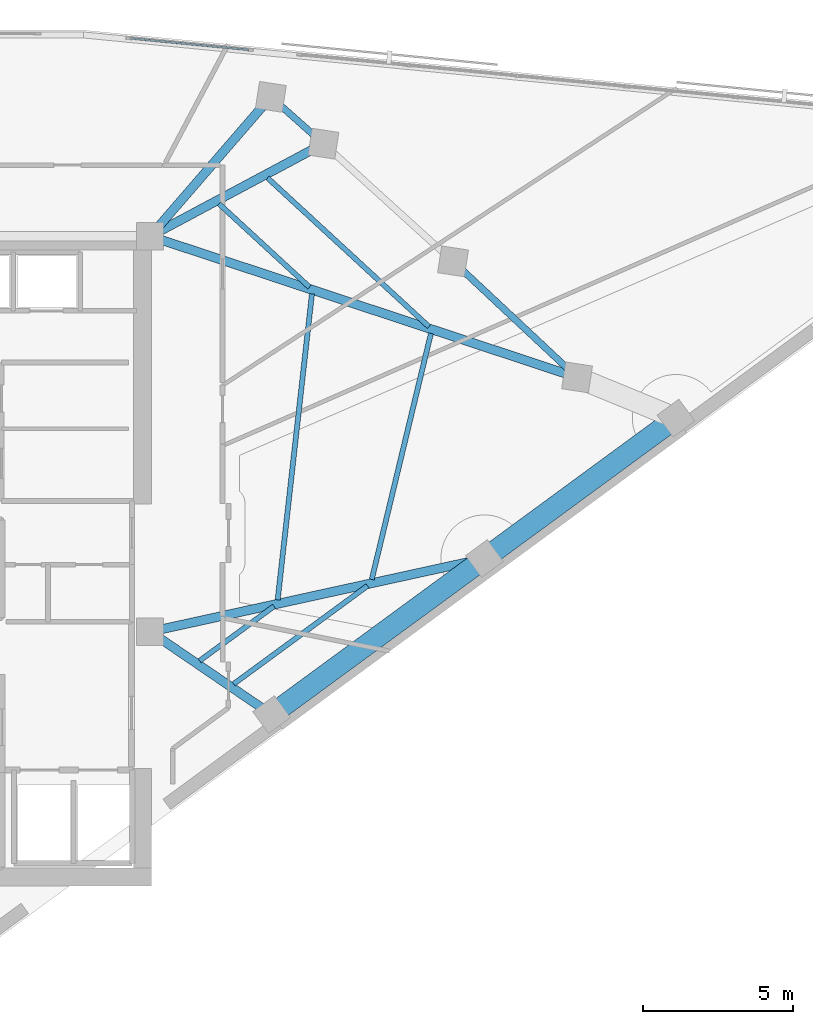
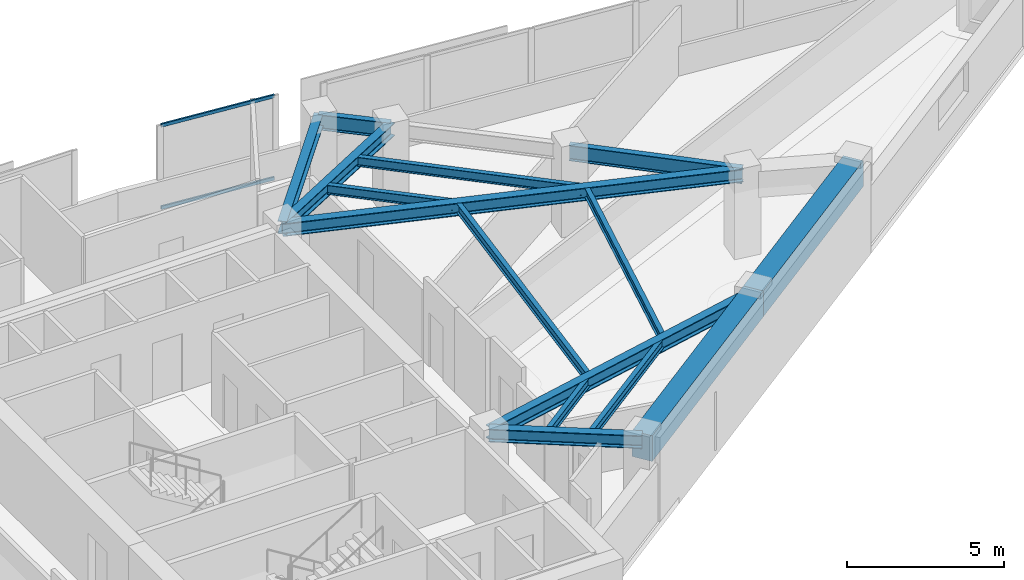
# One storey, part 4 of 14: 15 beams, 2 members, 1 element without a shape of its own.
"""IFC4 building model written with IfcOpenShell, lengths in metres."""

from ifc_helpers import new_model, si_unit, direction, frame, origin, origin_2d, place, context, subcontext, project, spatial, rectangle, hollow_rectangle, i_section, extrude, material, material_profile, profile_set, type_object, element, aggregate, save


model = new_model("IFC4")

# Units and contexts
model_context = context("Model", 3, precision=1e-05, world=origin(), true_north=direction((0.0, 1.0)))
body_context = subcontext(model_context, "Body", "Model", "MODEL_VIEW")
ifc_project = project(units=[si_unit("LENGTHUNIT", "METRE"), si_unit("AREAUNIT", "SQUARE_METRE"), si_unit("VOLUMEUNIT", "CUBIC_METRE"), si_unit("PLANEANGLEUNIT", "RADIAN"), si_unit("MASSUNIT", "GRAM", prefix="KILO")], contexts=[model_context])

# Site, building, storey
site_placement = place(None, origin())
site = spatial("IfcSite", under=ifc_project, at=site_placement, CompositionType="ELEMENT")
building_placement = place(site_placement, origin())
building = spatial("IfcBuilding", under=site, at=building_placement, Name="Narakoshi Arena Tower", CompositionType="ELEMENT")
storey_placement = place(building_placement, frame((0.0, 0.0, 236.10009765625)))
storey = spatial("IfcBuildingStorey", under=building, at=storey_placement, Name="L64", CompositionType="ELEMENT", Elevation=236.10009765625)

# Beams
ifc_material_1 = material(Name="Concrete C60/75", Category="concrete")
ifc_material_profile_1 = material_profile(ifc_material_1, rectangle(XDim=0.699951171875, YDim=1.0, at=origin_2d()), Name="RCB700x1000")
ifc_profile_set_1 = profile_set([ifc_material_profile_1], Name="Concrete C60/75")
beam_type_1 = type_object("IfcBeamType", Name="BM-CPL-1000", PredefinedType="BEAM", material=ifc_profile_set_1)
beam_1_placement = place(storey_placement, frame((89.58642578125, 40.594482421875, 2.760009765625), z_axis=(0.806446564509, 0.591306974922, 0.0), x_axis=(-0.591306974922, 0.806446564509, 0.0)))
element("IfcBeam", 1, at=beam_1_placement, inside=storey, type_object=beam_type_1, Name="L64 Perimeter Edge Girder 01", PredefinedType="BEAM", context=body_context, shape_type="SweptSolid", body=[
    extrude(rectangle(XDim=0.699951171875, YDim=1.0, at=origin_2d()), origin(), (0.0, 0.0, 1.0), 8.775390625),
])
beam_2_placement = place(storey_placement, frame((96.663330078125, 45.783447265625, 2.760009765625), z_axis=(0.806437425649, 0.59131943864, 0.0), x_axis=(-0.59131943864, 0.806437425649, 0.0)))
element("IfcBeam", 2, at=beam_2_placement, inside=storey, type_object=beam_type_1, Name="L64 Perimeter Edge Girder 02", PredefinedType="BEAM", context=body_context, shape_type="SweptSolid", body=[
    extrude(rectangle(XDim=0.699951171875, YDim=1.0, at=origin_2d()), origin(), (0.0, 0.0, 1.0), 7.89794921875),
])
ifc_material_2 = material(Name="Structural steel S355J2", Category="steel")
ifc_material_profile_2 = material_profile(ifc_material_2, i_section(OverallWidth=0.219970703125, OverallDepth=0.60009765625, WebThickness=0.011962890625, FlangeThickness=0.01904296875, FilletRadius=0.02392578125, at=origin_2d()), Name="IPE600")
ifc_profile_set_2 = profile_set([ifc_material_profile_2], Name="Structural steel S355J2")
beam_type_2 = type_object("IfcBeamType", Name="BM-EDGE-600", PredefinedType="BEAM", material=ifc_profile_set_2)
beam_3_placement = place(storey_placement, frame((99.74267578125, 51.80712890625, 2.9599609375), z_axis=(-0.730193480459, 0.683240427006, 0.0), x_axis=(-0.683240427006, -0.730193480459, 0.0)))
element("IfcBeam", 3, at=beam_3_placement, inside=storey, type_object=beam_type_2, Name="L64 Perimeter Edge Girder 04", PredefinedType="BEAM", context=body_context, shape_type="SweptSolid", body=[
    extrude(i_section(OverallWidth=0.219970703125, OverallDepth=0.60009765625, WebThickness=0.011962890625, FlangeThickness=0.01904296875, FilletRadius=0.02392578125, at=origin_2d()), origin(), (0.0, 0.0, 1.0), 5.646728515625),
])
beam_4_placement = place(storey_placement, frame((91.311279296875, 59.576416015625, 2.9599609375), z_axis=(-0.746770864852, 0.665081405099, 0.0), x_axis=(-0.665081405099, -0.746770864852, 0.0)))
element("IfcBeam", 4, at=beam_4_placement, inside=storey, type_object=beam_type_2, Name="L64 Perimeter Edge Girder 06", PredefinedType="BEAM", context=body_context, shape_type="SweptSolid", body=[
    extrude(i_section(OverallWidth=0.219970703125, OverallDepth=0.60009765625, WebThickness=0.011962890625, FlangeThickness=0.01904296875, FilletRadius=0.02392578125, at=origin_2d()), origin(), (0.0, 0.0, 1.0), 2.343017578125),
])
ifc_material_profile_3 = material_profile(ifc_material_2, i_section(OverallWidth=0.300048828125, OverallDepth=0.5, WebThickness=0.014404296875, FlangeThickness=0.028076171875, FilletRadius=0.027099609375, at=origin_2d()), Name="HE500B")
ifc_profile_set_3 = profile_set([ifc_material_profile_3], Name="Structural steel S355J2")
beam_type_3 = type_object("IfcBeamType", Name="BM-PRI-500", PredefinedType="BEAM", material=ifc_profile_set_3)
beam_5_placement = place(storey_placement, frame((85.550048828125, 43.35009765625, 3.010009765625), z_axis=(0.825890057955, -0.563831191201, 0.0), x_axis=(0.563831191201, 0.825890057955, 0.0)))
element("IfcBeam", 5, at=beam_5_placement, inside=storey, type_object=beam_type_3, Name="L64 Radial Primary Floor Girder 01", PredefinedType="BEAM", context=body_context, shape_type="SweptSolid", body=[
    extrude(i_section(OverallWidth=0.300048828125, OverallDepth=0.5, WebThickness=0.014404296875, FlangeThickness=0.028076171875, FilletRadius=0.027099609375, at=origin_2d()), origin(), (0.0, 0.0, 1.0), 4.88720703125),
])
beam_6_placement = place(storey_placement, frame((85.550048828125, 43.35009765625, 3.010009765625), z_axis=(0.976857438099, 0.213891434216, 0.0), x_axis=(-0.213891434216, 0.976857438099, 0.0)))
element("IfcBeam", 6, at=beam_6_placement, inside=storey, type_object=beam_type_3, Name="L64 Radial Primary Floor Girder 02", PredefinedType="BEAM", context=body_context, shape_type="SweptSolid", body=[
    extrude(i_section(OverallWidth=0.300048828125, OverallDepth=0.5, WebThickness=0.014404296875, FlangeThickness=0.028076171875, FilletRadius=0.027099609375, at=origin_2d()), origin(), (0.0, 0.0, 1.0), 11.37646484375),
])
beam_7_placement = place(storey_placement, frame((85.550048828125, 56.5, 3.010009765625), z_axis=(0.949443255158, -0.31393869662, 0.0), x_axis=(0.31393869662, 0.949443255158, 0.0)))
element("IfcBeam", 7, at=beam_7_placement, inside=storey, type_object=beam_type_3, Name="L64 Radial Primary Floor Girder 04", PredefinedType="BEAM", context=body_context, shape_type="SweptSolid", body=[
    extrude(i_section(OverallWidth=0.300048828125, OverallDepth=0.5, WebThickness=0.014404296875, FlangeThickness=0.028076171875, FilletRadius=0.027099609375, at=origin_2d()), origin(), (0.0, 0.0, 1.0), 14.948486328125),
])
beam_8_placement = place(storey_placement, frame((85.550048828125, 56.5, 3.010009765625), z_axis=(0.882113796729, 0.471036357004, 0.0), x_axis=(-0.471036357004, 0.882113796729, 0.0)))
element("IfcBeam", 8, at=beam_8_placement, inside=storey, type_object=beam_type_3, Name="L64 Radial Primary Floor Girder 06", PredefinedType="BEAM", context=body_context, shape_type="SweptSolid", body=[
    extrude(i_section(OverallWidth=0.300048828125, OverallDepth=0.5, WebThickness=0.014404296875, FlangeThickness=0.028076171875, FilletRadius=0.027099609375, at=origin_2d()), origin(), (0.0, 0.0, 1.0), 6.53125),
])
beam_9_placement = place(storey_placement, frame((85.550048828125, 56.5, 3.010009765625), z_axis=(0.654434553487, 0.756118651537, 0.0), x_axis=(-0.756118651537, 0.654434553487, 0.0)))
element("IfcBeam", 9, at=beam_9_placement, inside=storey, type_object=beam_type_3, Name="L64 Radial Primary Floor Girder 07", PredefinedType="BEAM", context=body_context, shape_type="SweptSolid", body=[
    extrude(i_section(OverallWidth=0.300048828125, OverallDepth=0.5, WebThickness=0.014404296875, FlangeThickness=0.028076171875, FilletRadius=0.027099609375, at=origin_2d()), origin(), (0.0, 0.0, 1.0), 6.129638671875),
])
ifc_material_profile_4 = material_profile(ifc_material_2, i_section(OverallWidth=0.169921875, OverallDepth=0.360107421875, WebThickness=0.008056640625, FlangeThickness=0.0126953125, FilletRadius=0.01806640625, at=origin_2d()), Name="IPE360")
ifc_profile_set_4 = profile_set([ifc_material_profile_4], Name="Structural steel S355J2")
beam_type_4 = type_object("IfcBeamType", Name="BM-SEC-360", PredefinedType="JOIST", material=ifc_profile_set_4)
beam_10_placement = place(storey_placement, frame((87.192626953125, 42.3828125, 3.079833984375), z_axis=(0.806491095196, 0.59124623751, 0.0), x_axis=(-0.59124623751, 0.806491095196, 0.0)))
element("IfcBeam", 10, at=beam_10_placement, inside=storey, type_object=beam_type_4, Name="L64 Composite Secondary Floor Joist 01", PredefinedType="JOIST", context=body_context, shape_type="SweptSolid", body=[
    extrude(i_section(OverallWidth=0.169921875, OverallDepth=0.360107421875, WebThickness=0.008056640625, FlangeThickness=0.0126953125, FilletRadius=0.01806640625, at=origin_2d()), origin(), (0.0, 0.0, 1.0), 3.064697265625),
])
beam_11_placement = place(storey_placement, frame((88.322998046875, 41.611083984375, 3.079833984375), z_axis=(0.80643170275, 0.591327243411, 0.0), x_axis=(-0.591327243411, 0.80643170275, 0.0)))
element("IfcBeam", 11, at=beam_11_placement, inside=storey, type_object=beam_type_4, Name="L64 Composite Secondary Floor Joist 02", PredefinedType="JOIST", context=body_context, shape_type="SweptSolid", body=[
    extrude(i_section(OverallWidth=0.169921875, OverallDepth=0.360107421875, WebThickness=0.008056640625, FlangeThickness=0.0126953125, FilletRadius=0.01806640625, at=origin_2d()), origin(), (0.0, 0.0, 1.0), 5.521728515625),
])
beam_12_placement = place(storey_placement, frame((89.7880859375, 44.408935546875, 3.079833984375), z_axis=(0.111371154474, 0.99377888182, 0.0), x_axis=(-0.99377888182, 0.111371154474, 0.0)))
element("IfcBeam", 12, at=beam_12_placement, inside=storey, type_object=beam_type_4, Name="L64 Composite Secondary Floor Joist 03", PredefinedType="JOIST", context=body_context, shape_type="SweptSolid", body=[
    extrude(i_section(OverallWidth=0.169921875, OverallDepth=0.360107421875, WebThickness=0.008056640625, FlangeThickness=0.0126953125, FilletRadius=0.01806640625, at=origin_2d()), origin(), (0.0, 0.0, 1.0), 10.2373046875),
])
beam_13_placement = place(storey_placement, frame((92.91650390625, 45.08740234375, 3.079833984375), z_axis=(0.233913716511, 0.972257359565, 0.0), x_axis=(-0.972257359565, 0.233913716511, 0.0)))
element("IfcBeam", 13, at=beam_13_placement, inside=storey, type_object=beam_type_4, Name="L64 Composite Secondary Floor Joist 04", PredefinedType="JOIST", context=body_context, shape_type="SweptSolid", body=[
    extrude(i_section(OverallWidth=0.169921875, OverallDepth=0.360107421875, WebThickness=0.008056640625, FlangeThickness=0.0126953125, FilletRadius=0.01806640625, at=origin_2d()), origin(), (0.0, 0.0, 1.0), 8.417724609375),
])
beam_14_placement = place(storey_placement, frame((90.843994140625, 54.80810546875, 3.079833984375), z_axis=(-0.735400942235, 0.677632241086, 0.0), x_axis=(-0.677632241086, -0.735400942235, 0.0)))
element("IfcBeam", 14, at=beam_14_placement, inside=storey, type_object=beam_type_4, Name="L64 Composite Secondary Floor Joist 05", PredefinedType="JOIST", context=body_context, shape_type="SweptSolid", body=[
    extrude(i_section(OverallWidth=0.169921875, OverallDepth=0.360107421875, WebThickness=0.008056640625, FlangeThickness=0.0126953125, FilletRadius=0.01806640625, at=origin_2d()), origin(), (0.0, 0.0, 1.0), 4.086669921875),
])
beam_15_placement = place(storey_placement, frame((94.81787109375, 53.494140625, 3.079833984375), z_axis=(-0.735390648624, 0.677643412066, 0.0), x_axis=(-0.677643412066, -0.735390648624, 0.0)))
element("IfcBeam", 15, at=beam_15_placement, inside=storey, type_object=beam_type_4, Name="L64 Composite Secondary Floor Joist 06", PredefinedType="JOIST", context=body_context, shape_type="SweptSolid", body=[
    extrude(i_section(OverallWidth=0.169921875, OverallDepth=0.360107421875, WebThickness=0.008056640625, FlangeThickness=0.0126953125, FilletRadius=0.01806640625, at=origin_2d()), origin(), (0.0, 0.0, 1.0), 7.297119140625),
])

# Curtain wall, members
ifc_material_3 = material(Name="Anodised bronze aluminium 6063-T6", Category="aluminium")
curtain_wall_type = type_object("IfcCurtainWallType", Name="CW-HYP-HIGH", PredefinedType="NOTDEFINED", material=ifc_material_3)
curtain_wall_placement = place(storey_placement, origin())
curtain_wall = element("IfcCurtainWall", 16, at=curtain_wall_placement, inside=storey, type_object=curtain_wall_type, Name="L64 Folded Hypotenuse Curtain Wall 1-2", PredefinedType="NOTDEFINED")
ifc_material_profile_5 = material_profile(ifc_material_3, hollow_rectangle(XDim=0.06494140625, YDim=0.1298828125, WallThickness=0.00390625, OuterFilletRadius=0.0048828125, at=origin_2d()), Name="TRN130x65x4")
ifc_profile_set_5 = profile_set([ifc_material_profile_5], Name="Anodised bronze aluminium 6063-T6")
member_type = type_object("IfcMemberType", Name="MEM-TRN-130", PredefinedType="USERDEFINED", material=ifc_profile_set_5)
member_1_placement = place(storey_placement, frame((88.830810546875, 62.69775390625, 0.032470703125), z_axis=(-0.995301216231, 0.096827108647, 0.0), x_axis=(-0.096827108647, -0.995301216231, 0.0)))
member_1 = element("IfcMember", 17, at=member_1_placement, type_object=member_type, Name="CW-03 transom 1.1", ObjectType="TRANSOM", PredefinedType="USERDEFINED", context=body_context, shape_type="SweptSolid", body=[
    extrude(hollow_rectangle(XDim=0.06494140625, YDim=0.1298828125, WallThickness=0.00390625, OuterFilletRadius=0.0048828125, at=origin_2d()), origin(), (0.0, 0.0, 1.0), 3.9560546875),
])
member_2_placement = place(storey_placement, frame((88.830810546875, 62.69775390625, 3.227294921875), z_axis=(-0.995301216231, 0.096827108647, 0.0), x_axis=(-0.096827108647, -0.995301216231, 0.0)))
member_2 = element("IfcMember", 18, at=member_2_placement, type_object=member_type, Name="CW-03 transom 1.2", ObjectType="TRANSOM", PredefinedType="USERDEFINED", context=body_context, shape_type="SweptSolid", body=[
    extrude(hollow_rectangle(XDim=0.06494140625, YDim=0.1298828125, WallThickness=0.00390625, OuterFilletRadius=0.0048828125, at=origin_2d()), origin(), (0.0, 0.0, 1.0), 3.9560546875),
])
aggregate(curtain_wall, [member_1, member_2])

save(model, "model.ifc")
